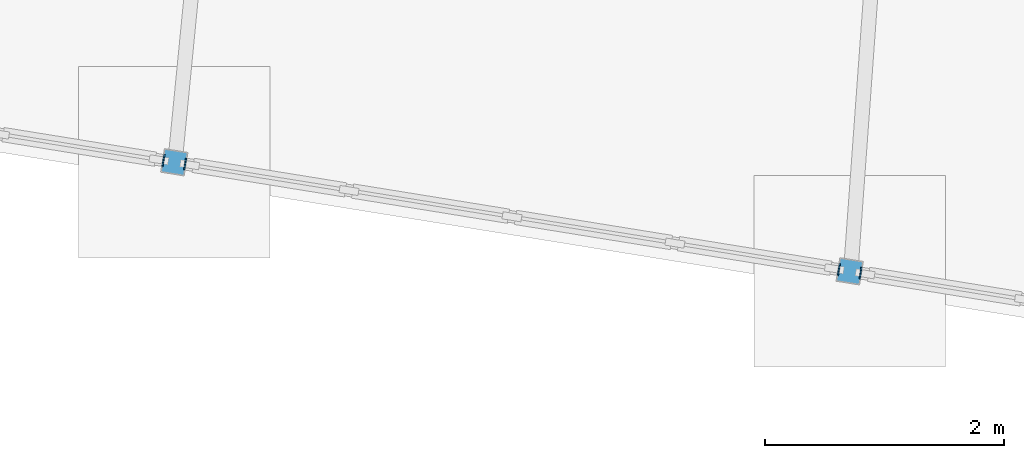
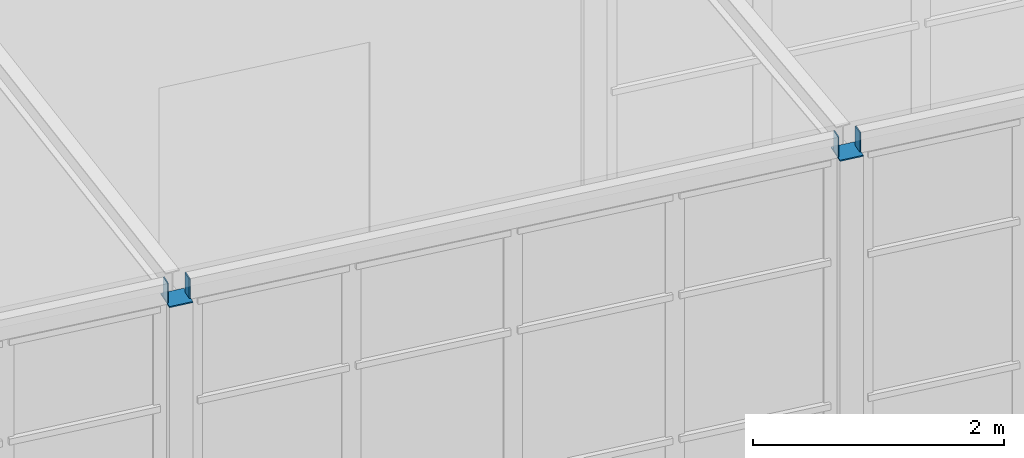
# One storey, part 205 of 226: 6 discrete accessories.
"""IFC4 building model written with IfcOpenShell, lengths in metres."""

from ifc_helpers import new_model, si_unit, direction, frame, origin, origin_2d, place, context, subcontext, project, spatial, rectangle, extrude, material, material_profile, profile_set, type_object, element, save


model = new_model("IFC4")

# Units and contexts
model_context = context("Model", 3, precision=1e-05, world=origin(), true_north=direction((0.0, 1.0)))
body_context = subcontext(model_context, "Body", "Model", "MODEL_VIEW")
ifc_project = project(units=[si_unit("LENGTHUNIT", "METRE"), si_unit("AREAUNIT", "SQUARE_METRE"), si_unit("VOLUMEUNIT", "CUBIC_METRE"), si_unit("PLANEANGLEUNIT", "RADIAN"), si_unit("MASSUNIT", "GRAM", prefix="KILO")], contexts=[model_context])

# Site, building, storey
site_placement = place(None, origin())
site = spatial("IfcSite", under=ifc_project, at=site_placement, CompositionType="ELEMENT")
building_placement = place(site_placement, origin())
building = spatial("IfcBuilding", under=site, at=building_placement, Name="Ceibo Conservatory and Research Tower", CompositionType="ELEMENT")
storey_placement = place(building_placement, origin())
storey = spatial("IfcBuildingStorey", under=building, at=storey_placement, Name="L00", CompositionType="ELEMENT", Elevation=0.0)

# Discrete accessories
ifc_material = material(Name="Steel S355J2", Category="steel")
ifc_material_profile_1 = material_profile(ifc_material, rectangle(XDim=0.10009765625, YDim=0.199951171875, at=origin_2d()), Name="End plate PL 200x100x8")
ifc_profile_set_1 = profile_set([ifc_material_profile_1], Name="Steel S355J2")
discrete_accessory_type_1 = type_object("IfcDiscreteAccessoryType", Name="End plate PL 200x100x8", PredefinedType="USERDEFINED", material=ifc_profile_set_1)
discrete_accessory_placement = place(storey_placement, frame((98.011962890625, 108.752197265625, 3.89990234375), z_axis=(-0.988936352868, 0.14834045293, 0.0), x_axis=(-0.14834045293, -0.988936352868, 0.0)))
element("IfcDiscreteAccessory", 1, at=discrete_accessory_placement, inside=storey, type_object=discrete_accessory_type_1, Name="Gallery edge beam A-RT-EBN04 end plate", ObjectType="End plate", PredefinedType="USERDEFINED", context=body_context, shape_type="SweptSolid", body=[
    extrude(rectangle(XDim=0.10009765625, YDim=0.199951171875, at=origin_2d()), origin(), (0.0, 0.0, 1.0), 0.009765625),
])
for number, where, z_axis, x_axis, name in (
    (2, (97.830322265625, 108.781494140625, 3.89990234375), (-0.985030467156, 0.172380331752, 0.0), (-0.172380331752, -0.985030467156, 0.0), "Gallery edge beam A-RT-EBN05 end plate"),
    (3, (92.366943359375, 109.66357421875, 3.89990234375), (-0.985030467156, 0.172380331752, 0.0), (-0.172380331752, -0.985030467156, 0.0), "Gallery edge beam A-RT-EBN05 end plate"),
    (4, (92.185302734375, 109.69287109375, 3.89990234375), (-0.985030467156, 0.172380331752, 0.0), (-0.172380331752, -0.985030467156, 0.0), "Gallery edge beam A-RT-EBN06 end plate"),
):
    element("IfcDiscreteAccessory", number, at=place(storey_placement, frame(where, z_axis=z_axis, x_axis=x_axis)), inside=storey, type_object=discrete_accessory_type_1, Name=name, ObjectType="End plate", PredefinedType="USERDEFINED", context=body_context, shape_type="SweptSolid", body=[
        extrude(rectangle(XDim=0.10009765625, YDim=0.199951171875, at=origin_2d()), origin(), (0.0, 0.0, 1.0), 0.010009765625),
    ])
ifc_material_profile_2 = material_profile(ifc_material, rectangle(XDim=0.199951171875, YDim=0.199951171875, at=origin_2d()), Name="End plate PL 200x200x10")
ifc_profile_set_2 = profile_set([ifc_material_profile_2], Name="Steel S355J2")
discrete_accessory_type_2 = type_object("IfcDiscreteAccessoryType", Name="End plate PL 200x200x10", PredefinedType="USERDEFINED", material=ifc_profile_set_2)
for number, where, z_axis, x_axis, name in (
    (5, (97.916259765625, 108.767578125, 3.798095703125), (0.0, 0.0, 1.0), (-0.987215515464, 0.159391110254, 0.0), "Gallery column A-RT-CN04 end plate"),
    (6, (92.271240234375, 109.678955078125, 3.798095703125), (0.0, 0.0, 1.0), (-0.987215515464, 0.159391110254, 0.0), "Gallery column A-RT-CN05 end plate"),
):
    element("IfcDiscreteAccessory", number, at=place(storey_placement, frame(where, z_axis=z_axis, x_axis=x_axis)), inside=storey, type_object=discrete_accessory_type_2, Name=name, ObjectType="End plate", PredefinedType="USERDEFINED", context=body_context, shape_type="SweptSolid", body=[
        extrude(rectangle(XDim=0.199951171875, YDim=0.199951171875, at=origin_2d()), origin(), (0.0, 0.0, 1.0), 0.011962890625),
    ])

save(model, "model.ifc")
